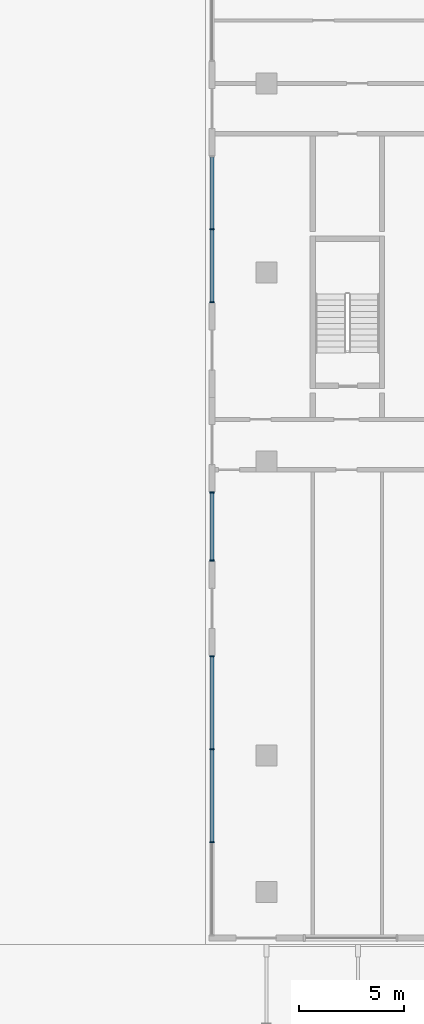
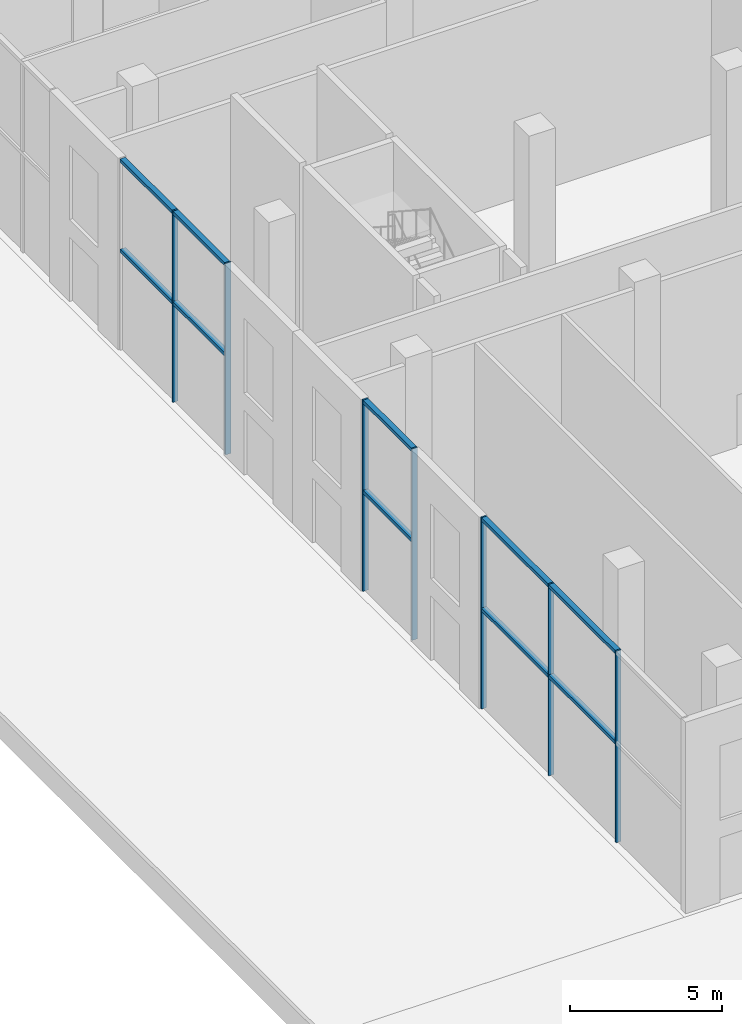
# One storey, part 10 of 31: 17 members, 3 elements without a shape of their own.
"""IFC4 building model written with IfcOpenShell, lengths in metres."""

from ifc_helpers import new_model, si_unit, direction, frame, origin, origin_2d, place, context, subcontext, project, spatial, rectangle, extrude, material, material_profile, profile_set, type_object, element, aggregate, save


model = new_model("IFC4")

# Units and contexts
model_context = context("Model", 3, precision=1e-05, world=origin(), true_north=direction((0.0, 1.0)))
body_context = subcontext(model_context, "Body", "Model", "MODEL_VIEW")
ifc_project = project(units=[si_unit("LENGTHUNIT", "METRE"), si_unit("AREAUNIT", "SQUARE_METRE"), si_unit("VOLUMEUNIT", "CUBIC_METRE"), si_unit("PLANEANGLEUNIT", "RADIAN"), si_unit("MASSUNIT", "GRAM", prefix="KILO")], contexts=[model_context])

# Site, building, storey
site_placement = place(None, origin())
site = spatial("IfcSite", under=ifc_project, at=site_placement, CompositionType="ELEMENT")
building_placement = place(site_placement, origin())
building = spatial("IfcBuilding", under=site, at=building_placement, Name="Bicima Exchange Tower", CompositionType="ELEMENT")
storey_placement = place(building_placement, origin())
storey = spatial("IfcBuildingStorey", under=building, at=storey_placement, Name="L00", CompositionType="ELEMENT", Elevation=0.0)

# Curtain wall, members
ifc_material = material(Name="Anodised bronze aluminium", Category="aluminium")
curtain_wall_type = type_object("IfcCurtainWallType", Name="Lobby glazing", PredefinedType="NOTDEFINED", material=ifc_material)
curtain_wall_1_placement = place(storey_placement, origin())
curtain_wall_1 = element("IfcCurtainWall", 1, at=curtain_wall_1_placement, inside=storey, type_object=curtain_wall_type, Name="Podium glazing L00 west 3", PredefinedType="NOTDEFINED")
ifc_material_profile_1 = material_profile(ifc_material, rectangle(XDim=0.199951171875, YDim=0.06005859375, at=origin_2d()))
ifc_profile_set_1 = profile_set([ifc_material_profile_1], Name="Anodised bronze aluminium")
member_type_1 = type_object("IfcMemberType", Name="Lobby glazing mullion 60 x 200", PredefinedType="MULLION", material=ifc_profile_set_1)
member_1_placement = place(storey_placement, frame((-46.10009765625, -19.949951171875, 0.0), z_axis=(0.0, 0.0, 1.0), x_axis=(1.0, 0.0, 0.0)))
member_1 = element("IfcMember", 2, at=member_1_placement, type_object=member_type_1, Name="Lobby glazing mullion 2", PredefinedType="MULLION", context=body_context, shape_type="SweptSolid", body=[
    extrude(rectangle(XDim=0.199951171875, YDim=0.06005859375, at=origin_2d()), origin(), (0.0, 0.0, 1.0), 7.699951171875),
])
member_2_placement = place(storey_placement, frame((-46.10009765625, -23.419921875, 0.0), z_axis=(0.0, 0.0, 1.0), x_axis=(1.0, 0.0, 0.0)))
member_2 = element("IfcMember", 3, at=member_2_placement, type_object=member_type_1, Name="Lobby glazing mullion 3", PredefinedType="MULLION", context=body_context, shape_type="SweptSolid", body=[
    extrude(rectangle(XDim=0.199951171875, YDim=0.06005859375, at=origin_2d()), origin(), (0.0, 0.0, 1.0), 7.699951171875),
])

curtain_wall_2_placement = place(storey_placement, origin())
curtain_wall_2 = element("IfcCurtainWall", 4, at=curtain_wall_2_placement, inside=storey, type_object=curtain_wall_type, Name="Podium glazing L00 west 6", PredefinedType="NOTDEFINED")
member_3_placement = place(storey_placement, frame((-46.10009765625, -32.47998046875, 0.0), z_axis=(0.0, 0.0, 1.0), x_axis=(1.0, 0.0, 0.0)))
member_3 = element("IfcMember", 5, at=member_3_placement, type_object=member_type_1, Name="Lobby glazing mullion 1", PredefinedType="MULLION", context=body_context, shape_type="SweptSolid", body=[
    extrude(rectangle(XDim=0.199951171875, YDim=0.06005859375, at=origin_2d()), origin(), (0.0, 0.0, 1.0), 7.699951171875),
])
member_4_placement = place(storey_placement, frame((-46.10009765625, -35.719970703125, 0.0), z_axis=(0.0, 0.0, 1.0), x_axis=(1.0, 0.0, 0.0)))
member_4 = element("IfcMember", 6, at=member_4_placement, type_object=member_type_1, Name="Lobby glazing mullion 2", PredefinedType="MULLION", context=body_context, shape_type="SweptSolid", body=[
    extrude(rectangle(XDim=0.199951171875, YDim=0.06005859375, at=origin_2d()), origin(), (0.0, 0.0, 1.0), 7.699951171875),
])

curtain_wall_3_placement = place(storey_placement, origin())
curtain_wall_3 = element("IfcCurtainWall", 7, at=curtain_wall_3_placement, inside=storey, type_object=curtain_wall_type, Name="Podium glazing L00 west 8", PredefinedType="NOTDEFINED")
member_5_placement = place(storey_placement, frame((-46.10009765625, -40.280029296875, 0.0), z_axis=(0.0, 0.0, 1.0), x_axis=(1.0, 0.0, 0.0)))
member_5 = element("IfcMember", 8, at=member_5_placement, type_object=member_type_1, Name="Lobby glazing mullion 1", PredefinedType="MULLION", context=body_context, shape_type="SweptSolid", body=[
    extrude(rectangle(XDim=0.199951171875, YDim=0.06005859375, at=origin_2d()), origin(), (0.0, 0.0, 1.0), 7.699951171875),
])
member_6_placement = place(storey_placement, frame((-46.10009765625, -44.7099609375, 0.0), z_axis=(0.0, 0.0, 1.0), x_axis=(1.0, 0.0, 0.0)))
member_6 = element("IfcMember", 9, at=member_6_placement, type_object=member_type_1, Name="Lobby glazing mullion 2", PredefinedType="MULLION", context=body_context, shape_type="SweptSolid", body=[
    extrude(rectangle(XDim=0.199951171875, YDim=0.06005859375, at=origin_2d()), origin(), (0.0, 0.0, 1.0), 7.699951171875),
])
member_7_placement = place(storey_placement, frame((-46.10009765625, -49.139892578125, 0.0), z_axis=(0.0, 0.0, 1.0), x_axis=(1.0, 0.0, 0.0)))
member_7 = element("IfcMember", 10, at=member_7_placement, type_object=member_type_1, Name="Lobby glazing mullion 3", PredefinedType="MULLION", context=body_context, shape_type="SweptSolid", body=[
    extrude(rectangle(XDim=0.199951171875, YDim=0.06005859375, at=origin_2d()), origin(), (0.0, 0.0, 1.0), 7.699951171875),
])

# Member
ifc_material_profile_2 = material_profile(ifc_material, rectangle(XDim=0.199951171875, YDim=0.139892578125, at=origin_2d()))
ifc_profile_set_2 = profile_set([ifc_material_profile_2], Name="Anodised bronze aluminium")
member_type_2 = type_object("IfcMemberType", Name="Lobby glazing transom 140 x 200", PredefinedType="USERDEFINED", material=ifc_profile_set_2)
member_8_placement = place(storey_placement, frame((-46.10009765625, -16.510009765625, 4.0), z_axis=(0.0, -1.0, 0.0), x_axis=(1.0, 0.0, 0.0)))
member_8 = element("IfcMember", 11, at=member_8_placement, type_object=member_type_2, Name="Lobby glazing transom 1.1", ObjectType="TRANSOM", PredefinedType="USERDEFINED", context=body_context, shape_type="SweptSolid", body=[
    extrude(rectangle(XDim=0.199951171875, YDim=0.139892578125, at=origin_2d()), origin(), (0.0, 0.0, 1.0), 3.409912109375),
])

member_9_placement = place(storey_placement, frame((-46.10009765625, -16.510009765625, 7.6298828125), z_axis=(0.0, -1.0, 0.0), x_axis=(1.0, 0.0, 0.0)))
member_9 = element("IfcMember", 12, at=member_9_placement, type_object=member_type_2, Name="Lobby glazing transom 1.2", ObjectType="TRANSOM", PredefinedType="USERDEFINED", context=body_context, shape_type="SweptSolid", body=[
    extrude(rectangle(XDim=0.199951171875, YDim=0.139892578125, at=origin_2d()), origin(), (0.0, 0.0, 1.0), 3.409912109375),
])

member_10_placement = place(storey_placement, frame((-46.10009765625, -19.97998046875, 4.0), z_axis=(0.0, -1.0, 0.0), x_axis=(1.0, 0.0, 0.0)))
member_10 = element("IfcMember", 13, at=member_10_placement, type_object=member_type_2, Name="Lobby glazing transom 2.1", ObjectType="TRANSOM", PredefinedType="USERDEFINED", context=body_context, shape_type="SweptSolid", body=[
    extrude(rectangle(XDim=0.199951171875, YDim=0.139892578125, at=origin_2d()), origin(), (0.0, 0.0, 1.0), 3.409912109375),
])

member_11_placement = place(storey_placement, frame((-46.10009765625, -19.97998046875, 7.6298828125), z_axis=(0.0, -1.0, 0.0), x_axis=(1.0, 0.0, 0.0)))
member_11 = element("IfcMember", 14, at=member_11_placement, type_object=member_type_2, Name="Lobby glazing transom 2.2", ObjectType="TRANSOM", PredefinedType="USERDEFINED", context=body_context, shape_type="SweptSolid", body=[
    extrude(rectangle(XDim=0.199951171875, YDim=0.139892578125, at=origin_2d()), origin(), (0.0, 0.0, 1.0), 3.409912109375),
])

aggregate(curtain_wall_1, [member_1, member_2, member_8, member_9, member_10, member_11])

member_12_placement = place(storey_placement, frame((-46.10009765625, -32.510009765625, 4.0), z_axis=(0.0, -1.0, 0.0), x_axis=(1.0, 0.0, 0.0)))
member_12 = element("IfcMember", 15, at=member_12_placement, type_object=member_type_2, Name="Lobby glazing transom 1.1", ObjectType="TRANSOM", PredefinedType="USERDEFINED", context=body_context, shape_type="SweptSolid", body=[
    extrude(rectangle(XDim=0.199951171875, YDim=0.139892578125, at=origin_2d()), origin(), (0.0, 0.0, 1.0), 3.179931640625),
])

member_13_placement = place(storey_placement, frame((-46.10009765625, -32.510009765625, 7.6298828125), z_axis=(0.0, -1.0, 0.0), x_axis=(1.0, 0.0, 0.0)))
member_13 = element("IfcMember", 16, at=member_13_placement, type_object=member_type_2, Name="Lobby glazing transom 1.2", ObjectType="TRANSOM", PredefinedType="USERDEFINED", context=body_context, shape_type="SweptSolid", body=[
    extrude(rectangle(XDim=0.199951171875, YDim=0.139892578125, at=origin_2d()), origin(), (0.0, 0.0, 1.0), 3.179931640625),
])

aggregate(curtain_wall_2, [member_3, member_4, member_12, member_13])

member_14_placement = place(storey_placement, frame((-46.10009765625, -40.31005859375, 4.0), z_axis=(0.0, -1.0, 0.0), x_axis=(1.0, 0.0, 0.0)))
member_14 = element("IfcMember", 17, at=member_14_placement, type_object=member_type_2, Name="Lobby glazing transom 1.1", ObjectType="TRANSOM", PredefinedType="USERDEFINED", context=body_context, shape_type="SweptSolid", body=[
    extrude(rectangle(XDim=0.199951171875, YDim=0.139892578125, at=origin_2d()), origin(), (0.0, 0.0, 1.0), 4.369873046875),
])

member_15_placement = place(storey_placement, frame((-46.10009765625, -40.31005859375, 7.6298828125), z_axis=(0.0, -1.0, 0.0), x_axis=(1.0, 0.0, 0.0)))
member_15 = element("IfcMember", 18, at=member_15_placement, type_object=member_type_2, Name="Lobby glazing transom 1.2", ObjectType="TRANSOM", PredefinedType="USERDEFINED", context=body_context, shape_type="SweptSolid", body=[
    extrude(rectangle(XDim=0.199951171875, YDim=0.139892578125, at=origin_2d()), origin(), (0.0, 0.0, 1.0), 4.369873046875),
])

member_16_placement = place(storey_placement, frame((-46.10009765625, -44.739990234375, 4.0), z_axis=(0.0, -1.0, 0.0), x_axis=(1.0, 0.0, 0.0)))
member_16 = element("IfcMember", 19, at=member_16_placement, type_object=member_type_2, Name="Lobby glazing transom 2.1", ObjectType="TRANSOM", PredefinedType="USERDEFINED", context=body_context, shape_type="SweptSolid", body=[
    extrude(rectangle(XDim=0.199951171875, YDim=0.139892578125, at=origin_2d()), origin(), (0.0, 0.0, 1.0), 4.3701171875),
])

member_17_placement = place(storey_placement, frame((-46.10009765625, -44.739990234375, 7.6298828125), z_axis=(0.0, -1.0, 0.0), x_axis=(1.0, 0.0, 0.0)))
member_17 = element("IfcMember", 20, at=member_17_placement, type_object=member_type_2, Name="Lobby glazing transom 2.2", ObjectType="TRANSOM", PredefinedType="USERDEFINED", context=body_context, shape_type="SweptSolid", body=[
    extrude(rectangle(XDim=0.199951171875, YDim=0.139892578125, at=origin_2d()), origin(), (0.0, 0.0, 1.0), 4.3701171875),
])

aggregate(curtain_wall_3, [member_5, member_6, member_7, member_14, member_15, member_16, member_17])

save(model, "model.ifc")
